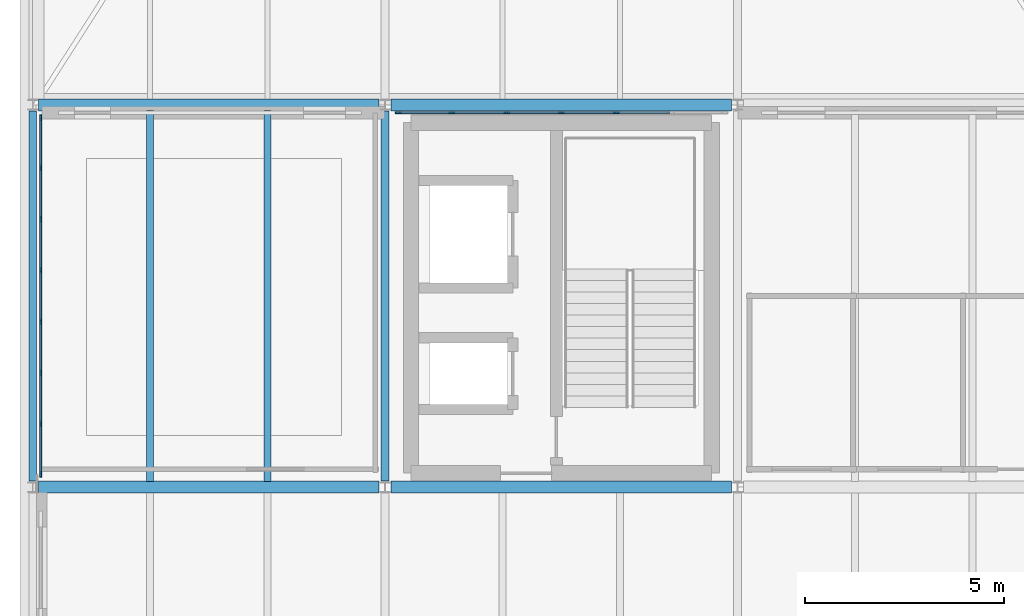
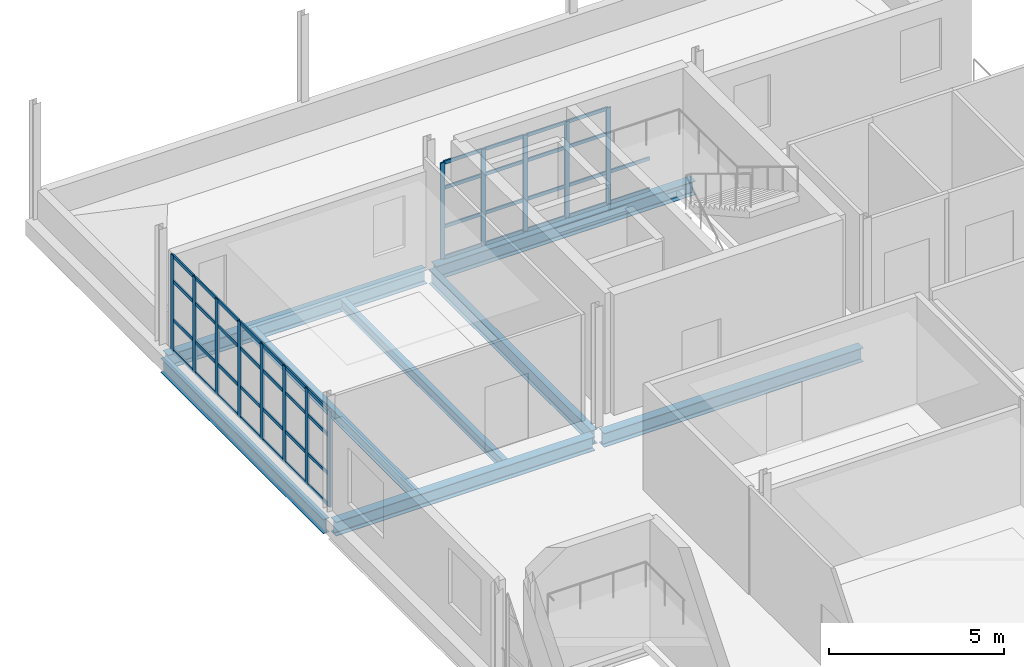
# One storey, part 8 of 28: 59 members, 8 beams, 2 elements without a shape of their own.
"""IFC4 building model written with IfcOpenShell, lengths in metres."""

from ifc_helpers import new_model, si_unit, direction, frame, origin, origin_2d, place, context, subcontext, project, spatial, rectangle, i_section, extrude, material, layer, layer_set, material_profile, profile_set, type_object, element, aggregate, save


model = new_model("IFC4")

# Units and contexts
model_context = context("Model", 3, precision=1e-05, world=origin(), true_north=direction((0.0, 1.0)))
body_context = subcontext(model_context, "Body", "Model", "MODEL_VIEW")
ifc_project = project(units=[si_unit("LENGTHUNIT", "METRE"), si_unit("AREAUNIT", "SQUARE_METRE"), si_unit("VOLUMEUNIT", "CUBIC_METRE"), si_unit("PLANEANGLEUNIT", "RADIAN"), si_unit("MASSUNIT", "GRAM", prefix="KILO")], contexts=[model_context])

# Site, building, storey
site_placement = place(None, origin())
site = spatial("IfcSite", under=ifc_project, at=site_placement, CompositionType="ELEMENT")
building_placement = place(site_placement, origin())
building = spatial("IfcBuilding", under=site, at=building_placement, Name="Yeouljin Market Hall", CompositionType="ELEMENT")
storey_placement = place(building_placement, frame((0.0, 0.0, 15.0)))
storey = spatial("IfcBuildingStorey", under=building, at=storey_placement, Name="L03", CompositionType="ELEMENT", Elevation=15.0)

# Beams
ifc_material_1 = material(Name="Steel SM355", Category="steel")
ifc_material_profile_1 = material_profile(ifc_material_1, i_section(OverallWidth=0.199951171875, OverallDepth=0.5, WebThickness=0.010009765625, FlangeThickness=0.01611328125, FilletRadius=0.02001953125, at=origin_2d()), Name="H-500x200x10x16")
ifc_profile_set_1 = profile_set([ifc_material_profile_1], Name="Steel SM355")
beam_type_1 = type_object("IfcBeamType", Name="Beam_H-500x200x10x16", PredefinedType="BEAM", material=ifc_profile_set_1)
for number, where, z_axis, x_axis, name in (
    (1, (0.0, 19.35009765625, -0.514892578125), (0.0, 1.0, 0.0), (-1.0, 0.0, 0.0), "Primary beam BM-L03-Y048"),
    (2, (8.85009765625, 19.35009765625, -0.514892578125), (0.0, 1.0, 0.0), (-1.0, 0.0, 0.0), "Primary beam BM-L03-Y052"),
):
    element("IfcBeam", number, at=place(storey_placement, frame(where, z_axis=z_axis, x_axis=x_axis)), inside=storey, type_object=beam_type_1, Name=name, PredefinedType="BEAM", context=body_context, shape_type="SweptSolid", body=[
        extrude(i_section(OverallWidth=0.199951171875, OverallDepth=0.5, WebThickness=0.010009765625, FlangeThickness=0.01611328125, FilletRadius=0.02001953125, at=origin_2d()), origin(), (0.0, 0.0, 1.0), 9.2998046875),
    ])

# Curtain wall, members
ifc_material_2 = material(Name="Thermally Broken Aluminium", Category="aluminium")
ifc_layer = layer(ifc_material_2, 0.14990234375)
ifc_layer_set = layer_set([ifc_layer], Name="Thermally Broken Aluminium")
curtain_wall_type = type_object("IfcCurtainWallType", Name="CW_AcademyRibbon_System", PredefinedType="USERDEFINED", material=ifc_layer_set)
curtain_wall_1_placement = place(storey_placement, origin())
curtain_wall_1 = element("IfcCurtainWall", 3, at=curtain_wall_1_placement, inside=storey, type_object=curtain_wall_type, Name="Curtain wall CW-L03-W06", ObjectType="CURTAIN WALL", PredefinedType="USERDEFINED")
ifc_material_3 = material(Name="Thermally Broken Aluminium", Category="aluminium")
ifc_material_profile_2 = material_profile(ifc_material_3, rectangle(XDim=0.048095703125, YDim=0.14990234375, at=origin_2d()), Name="CW-MULL-48x150")
ifc_profile_set_2 = profile_set([ifc_material_profile_2], Name="Thermally Broken Aluminium")
member_type_1 = type_object("IfcMemberType", Name="CWMullion_48x150", PredefinedType="MULLION", material=ifc_profile_set_2)
member_1_placement = place(storey_placement, frame((0.199951171875, 19.52392578125, 0.0), z_axis=(0.0, 0.0, 1.0), x_axis=(-1.0, 0.0, 0.0)))
member_1 = element("IfcMember", 4, at=member_1_placement, type_object=member_type_1, Name="CW-05 mullion 1", PredefinedType="MULLION", context=body_context, shape_type="SweptSolid", body=[
    extrude(rectangle(XDim=0.048095703125, YDim=0.14990234375, at=origin_2d()), origin(), (0.0, 0.0, 1.0), 3.35009765625),
])
member_2_placement = place(storey_placement, frame((0.199951171875, 20.78564453125, 0.0), z_axis=(0.0, 0.0, 1.0), x_axis=(-1.0, 0.0, 0.0)))
member_2 = element("IfcMember", 5, at=member_2_placement, type_object=member_type_1, Name="CW-05 mullion 2", PredefinedType="MULLION", context=body_context, shape_type="SweptSolid", body=[
    extrude(rectangle(XDim=0.048095703125, YDim=0.14990234375, at=origin_2d()), origin(), (0.0, 0.0, 1.0), 3.35009765625),
])
member_3_placement = place(storey_placement, frame((0.199951171875, 22.071533203125, 0.0), z_axis=(0.0, 0.0, 1.0), x_axis=(-1.0, 0.0, 0.0)))
member_3 = element("IfcMember", 6, at=member_3_placement, type_object=member_type_1, Name="CW-05 mullion 3", PredefinedType="MULLION", context=body_context, shape_type="SweptSolid", body=[
    extrude(rectangle(XDim=0.048095703125, YDim=0.14990234375, at=origin_2d()), origin(), (0.0, 0.0, 1.0), 3.35009765625),
])
member_4_placement = place(storey_placement, frame((0.199951171875, 23.357177734375, 0.0), z_axis=(0.0, 0.0, 1.0), x_axis=(-1.0, 0.0, 0.0)))
member_4 = element("IfcMember", 7, at=member_4_placement, type_object=member_type_1, Name="CW-05 mullion 4", PredefinedType="MULLION", context=body_context, shape_type="SweptSolid", body=[
    extrude(rectangle(XDim=0.048095703125, YDim=0.14990234375, at=origin_2d()), origin(), (0.0, 0.0, 1.0), 3.35009765625),
])
member_5_placement = place(storey_placement, frame((0.199951171875, 24.642822265625, 0.0), z_axis=(0.0, 0.0, 1.0), x_axis=(-1.0, 0.0, 0.0)))
member_5 = element("IfcMember", 8, at=member_5_placement, type_object=member_type_1, Name="CW-05 mullion 5", PredefinedType="MULLION", context=body_context, shape_type="SweptSolid", body=[
    extrude(rectangle(XDim=0.048095703125, YDim=0.14990234375, at=origin_2d()), origin(), (0.0, 0.0, 1.0), 3.35009765625),
])
member_6_placement = place(storey_placement, frame((0.199951171875, 25.928466796875, 0.0), z_axis=(0.0, 0.0, 1.0), x_axis=(-1.0, 0.0, 0.0)))
member_6 = element("IfcMember", 9, at=member_6_placement, type_object=member_type_1, Name="CW-05 mullion 6", PredefinedType="MULLION", context=body_context, shape_type="SweptSolid", body=[
    extrude(rectangle(XDim=0.048095703125, YDim=0.14990234375, at=origin_2d()), origin(), (0.0, 0.0, 1.0), 3.35009765625),
])
member_7_placement = place(storey_placement, frame((0.199951171875, 27.21435546875, 0.0), z_axis=(0.0, 0.0, 1.0), x_axis=(-1.0, 0.0, 0.0)))
member_7 = element("IfcMember", 10, at=member_7_placement, type_object=member_type_1, Name="CW-05 mullion 7", PredefinedType="MULLION", context=body_context, shape_type="SweptSolid", body=[
    extrude(rectangle(XDim=0.048095703125, YDim=0.14990234375, at=origin_2d()), origin(), (0.0, 0.0, 1.0), 3.35009765625),
])
member_8_placement = place(storey_placement, frame((0.199951171875, 28.47607421875, 0.0), z_axis=(0.0, 0.0, 1.0), x_axis=(-1.0, 0.0, 0.0)))
member_8 = element("IfcMember", 11, at=member_8_placement, type_object=member_type_1, Name="CW-05 mullion 8", PredefinedType="MULLION", context=body_context, shape_type="SweptSolid", body=[
    extrude(rectangle(XDim=0.048095703125, YDim=0.14990234375, at=origin_2d()), origin(), (0.0, 0.0, 1.0), 3.35009765625),
])

curtain_wall_2_placement = place(storey_placement, origin())
curtain_wall_2 = element("IfcCurtainWall", 12, at=curtain_wall_2_placement, inside=storey, type_object=curtain_wall_type, Name="Curtain wall CW-L03-W08", ObjectType="CURTAIN WALL", PredefinedType="USERDEFINED")
member_9_placement = place(storey_placement, frame((9.174072265625, 28.60009765625, 0.0), z_axis=(0.0, 0.0, 1.0), x_axis=(0.0, 1.0, 0.0)))
member_9 = element("IfcMember", 13, at=member_9_placement, type_object=member_type_1, Name="CW-05 mullion 1", PredefinedType="MULLION", context=body_context, shape_type="SweptSolid", body=[
    extrude(rectangle(XDim=0.048095703125, YDim=0.14990234375, at=origin_2d()), origin(), (0.0, 0.0, 1.0), 3.35009765625),
])
member_10_placement = place(storey_placement, frame((10.52490234375, 28.60009765625, 0.0), z_axis=(0.0, 0.0, 1.0), x_axis=(0.0, 1.0, 0.0)))
member_10 = element("IfcMember", 14, at=member_10_placement, type_object=member_type_1, Name="CW-05 mullion 2", PredefinedType="MULLION", context=body_context, shape_type="SweptSolid", body=[
    extrude(rectangle(XDim=0.048095703125, YDim=0.14990234375, at=origin_2d()), origin(), (0.0, 0.0, 1.0), 3.35009765625),
])
member_11_placement = place(storey_placement, frame((11.89990234375, 28.60009765625, 0.0), z_axis=(0.0, 0.0, 1.0), x_axis=(0.0, 1.0, 0.0)))
member_11 = element("IfcMember", 15, at=member_11_placement, type_object=member_type_1, Name="CW-05 mullion 3", PredefinedType="MULLION", context=body_context, shape_type="SweptSolid", body=[
    extrude(rectangle(XDim=0.048095703125, YDim=0.14990234375, at=origin_2d()), origin(), (0.0, 0.0, 1.0), 3.35009765625),
])
member_12_placement = place(storey_placement, frame((13.27490234375, 28.60009765625, 0.0), z_axis=(0.0, 0.0, 1.0), x_axis=(0.0, 1.0, 0.0)))
member_12 = element("IfcMember", 16, at=member_12_placement, type_object=member_type_1, Name="CW-05 mullion 4", PredefinedType="MULLION", context=body_context, shape_type="SweptSolid", body=[
    extrude(rectangle(XDim=0.048095703125, YDim=0.14990234375, at=origin_2d()), origin(), (0.0, 0.0, 1.0), 3.35009765625),
])
member_13_placement = place(storey_placement, frame((14.64990234375, 28.60009765625, 0.0), z_axis=(0.0, 0.0, 1.0), x_axis=(0.0, 1.0, 0.0)))
member_13 = element("IfcMember", 17, at=member_13_placement, type_object=member_type_1, Name="CW-05 mullion 5", PredefinedType="MULLION", context=body_context, shape_type="SweptSolid", body=[
    extrude(rectangle(XDim=0.048095703125, YDim=0.14990234375, at=origin_2d()), origin(), (0.0, 0.0, 1.0), 3.35009765625),
])

# Member
ifc_material_4 = material(Name="Thermally Broken Aluminium", Category="aluminium")
ifc_material_profile_3 = material_profile(ifc_material_4, rectangle(XDim=0.048095703125, YDim=0.1201171875, at=origin_2d()), Name="CW-TRAN-48x120")
ifc_profile_set_3 = profile_set([ifc_material_profile_3], Name="Thermally Broken Aluminium")
member_type_2 = type_object("IfcMemberType", Name="CWTransom_48x120", PredefinedType="USERDEFINED", material=ifc_profile_set_3)
member_14_placement = place(storey_placement, frame((0.199951171875, 19.548095703125, 0.02392578125), z_axis=(0.0, 1.0, 0.0), x_axis=(-1.0, 0.0, 0.0)))
member_14 = element("IfcMember", 18, at=member_14_placement, type_object=member_type_2, Name="CW-05 transom 1.1", ObjectType="TRANSOM", PredefinedType="USERDEFINED", context=body_context, shape_type="SweptSolid", body=[
    extrude(rectangle(XDim=0.048095703125, YDim=0.1201171875, at=origin_2d()), origin(), (0.0, 0.0, 1.0), 1.213623046875),
])

member_15_placement = place(storey_placement, frame((0.199951171875, 19.548095703125, 1.10009765625), z_axis=(0.0, 1.0, 0.0), x_axis=(-1.0, 0.0, 0.0)))
member_15 = element("IfcMember", 19, at=member_15_placement, type_object=member_type_2, Name="CW-05 transom 1.2", ObjectType="TRANSOM", PredefinedType="USERDEFINED", context=body_context, shape_type="SweptSolid", body=[
    extrude(rectangle(XDim=0.048095703125, YDim=0.1201171875, at=origin_2d()), origin(), (0.0, 0.0, 1.0), 1.213623046875),
])

member_16_placement = place(storey_placement, frame((0.199951171875, 19.548095703125, 2.449951171875), z_axis=(0.0, 1.0, 0.0), x_axis=(-1.0, 0.0, 0.0)))
member_16 = element("IfcMember", 20, at=member_16_placement, type_object=member_type_2, Name="CW-05 transom 1.3", ObjectType="TRANSOM", PredefinedType="USERDEFINED", context=body_context, shape_type="SweptSolid", body=[
    extrude(rectangle(XDim=0.048095703125, YDim=0.1201171875, at=origin_2d()), origin(), (0.0, 0.0, 1.0), 1.213623046875),
])

member_17_placement = place(storey_placement, frame((0.199951171875, 19.548095703125, 3.325927734375), z_axis=(0.0, 1.0, 0.0), x_axis=(-1.0, 0.0, 0.0)))
member_17 = element("IfcMember", 21, at=member_17_placement, type_object=member_type_2, Name="CW-05 transom 1.4", ObjectType="TRANSOM", PredefinedType="USERDEFINED", context=body_context, shape_type="SweptSolid", body=[
    extrude(rectangle(XDim=0.048095703125, YDim=0.1201171875, at=origin_2d()), origin(), (0.0, 0.0, 1.0), 1.213623046875),
])

member_18_placement = place(storey_placement, frame((0.199951171875, 20.809814453125, 0.02392578125), z_axis=(0.0, 1.0, 0.0), x_axis=(-1.0, 0.0, 0.0)))
member_18 = element("IfcMember", 22, at=member_18_placement, type_object=member_type_2, Name="CW-05 transom 2.1", ObjectType="TRANSOM", PredefinedType="USERDEFINED", context=body_context, shape_type="SweptSolid", body=[
    extrude(rectangle(XDim=0.048095703125, YDim=0.1201171875, at=origin_2d()), origin(), (0.0, 0.0, 1.0), 1.237548828125),
])

member_19_placement = place(storey_placement, frame((0.199951171875, 20.809814453125, 1.10009765625), z_axis=(0.0, 1.0, 0.0), x_axis=(-1.0, 0.0, 0.0)))
member_19 = element("IfcMember", 23, at=member_19_placement, type_object=member_type_2, Name="CW-05 transom 2.2", ObjectType="TRANSOM", PredefinedType="USERDEFINED", context=body_context, shape_type="SweptSolid", body=[
    extrude(rectangle(XDim=0.048095703125, YDim=0.1201171875, at=origin_2d()), origin(), (0.0, 0.0, 1.0), 1.237548828125),
])

member_20_placement = place(storey_placement, frame((0.199951171875, 20.809814453125, 2.449951171875), z_axis=(0.0, 1.0, 0.0), x_axis=(-1.0, 0.0, 0.0)))
member_20 = element("IfcMember", 24, at=member_20_placement, type_object=member_type_2, Name="CW-05 transom 2.3", ObjectType="TRANSOM", PredefinedType="USERDEFINED", context=body_context, shape_type="SweptSolid", body=[
    extrude(rectangle(XDim=0.048095703125, YDim=0.1201171875, at=origin_2d()), origin(), (0.0, 0.0, 1.0), 1.237548828125),
])

member_21_placement = place(storey_placement, frame((0.199951171875, 20.809814453125, 3.325927734375), z_axis=(0.0, 1.0, 0.0), x_axis=(-1.0, 0.0, 0.0)))
member_21 = element("IfcMember", 25, at=member_21_placement, type_object=member_type_2, Name="CW-05 transom 2.4", ObjectType="TRANSOM", PredefinedType="USERDEFINED", context=body_context, shape_type="SweptSolid", body=[
    extrude(rectangle(XDim=0.048095703125, YDim=0.1201171875, at=origin_2d()), origin(), (0.0, 0.0, 1.0), 1.237548828125),
])

member_22_placement = place(storey_placement, frame((0.199951171875, 22.095458984375, 0.02392578125), z_axis=(0.0, 1.0, 0.0), x_axis=(-1.0, 0.0, 0.0)))
member_22 = element("IfcMember", 26, at=member_22_placement, type_object=member_type_2, Name="CW-05 transom 3.1", ObjectType="TRANSOM", PredefinedType="USERDEFINED", context=body_context, shape_type="SweptSolid", body=[
    extrude(rectangle(XDim=0.048095703125, YDim=0.1201171875, at=origin_2d()), origin(), (0.0, 0.0, 1.0), 1.23779296875),
])

member_23_placement = place(storey_placement, frame((0.199951171875, 22.095458984375, 1.10009765625), z_axis=(0.0, 1.0, 0.0), x_axis=(-1.0, 0.0, 0.0)))
member_23 = element("IfcMember", 27, at=member_23_placement, type_object=member_type_2, Name="CW-05 transom 3.2", ObjectType="TRANSOM", PredefinedType="USERDEFINED", context=body_context, shape_type="SweptSolid", body=[
    extrude(rectangle(XDim=0.048095703125, YDim=0.1201171875, at=origin_2d()), origin(), (0.0, 0.0, 1.0), 1.23779296875),
])

member_24_placement = place(storey_placement, frame((0.199951171875, 22.095458984375, 2.449951171875), z_axis=(0.0, 1.0, 0.0), x_axis=(-1.0, 0.0, 0.0)))
member_24 = element("IfcMember", 28, at=member_24_placement, type_object=member_type_2, Name="CW-05 transom 3.3", ObjectType="TRANSOM", PredefinedType="USERDEFINED", context=body_context, shape_type="SweptSolid", body=[
    extrude(rectangle(XDim=0.048095703125, YDim=0.1201171875, at=origin_2d()), origin(), (0.0, 0.0, 1.0), 1.23779296875),
])

member_25_placement = place(storey_placement, frame((0.199951171875, 22.095458984375, 3.325927734375), z_axis=(0.0, 1.0, 0.0), x_axis=(-1.0, 0.0, 0.0)))
member_25 = element("IfcMember", 29, at=member_25_placement, type_object=member_type_2, Name="CW-05 transom 3.4", ObjectType="TRANSOM", PredefinedType="USERDEFINED", context=body_context, shape_type="SweptSolid", body=[
    extrude(rectangle(XDim=0.048095703125, YDim=0.1201171875, at=origin_2d()), origin(), (0.0, 0.0, 1.0), 1.23779296875),
])

member_26_placement = place(storey_placement, frame((0.199951171875, 23.381103515625, 0.02392578125), z_axis=(0.0, 1.0, 0.0), x_axis=(-1.0, 0.0, 0.0)))
member_26 = element("IfcMember", 30, at=member_26_placement, type_object=member_type_2, Name="CW-05 transom 4.1", ObjectType="TRANSOM", PredefinedType="USERDEFINED", context=body_context, shape_type="SweptSolid", body=[
    extrude(rectangle(XDim=0.048095703125, YDim=0.1201171875, at=origin_2d()), origin(), (0.0, 0.0, 1.0), 1.23779296875),
])

member_27_placement = place(storey_placement, frame((0.199951171875, 23.381103515625, 1.10009765625), z_axis=(0.0, 1.0, 0.0), x_axis=(-1.0, 0.0, 0.0)))
member_27 = element("IfcMember", 31, at=member_27_placement, type_object=member_type_2, Name="CW-05 transom 4.2", ObjectType="TRANSOM", PredefinedType="USERDEFINED", context=body_context, shape_type="SweptSolid", body=[
    extrude(rectangle(XDim=0.048095703125, YDim=0.1201171875, at=origin_2d()), origin(), (0.0, 0.0, 1.0), 1.23779296875),
])

member_28_placement = place(storey_placement, frame((0.199951171875, 23.381103515625, 2.449951171875), z_axis=(0.0, 1.0, 0.0), x_axis=(-1.0, 0.0, 0.0)))
member_28 = element("IfcMember", 32, at=member_28_placement, type_object=member_type_2, Name="CW-05 transom 4.3", ObjectType="TRANSOM", PredefinedType="USERDEFINED", context=body_context, shape_type="SweptSolid", body=[
    extrude(rectangle(XDim=0.048095703125, YDim=0.1201171875, at=origin_2d()), origin(), (0.0, 0.0, 1.0), 1.23779296875),
])

member_29_placement = place(storey_placement, frame((0.199951171875, 23.381103515625, 3.325927734375), z_axis=(0.0, 1.0, 0.0), x_axis=(-1.0, 0.0, 0.0)))
member_29 = element("IfcMember", 33, at=member_29_placement, type_object=member_type_2, Name="CW-05 transom 4.4", ObjectType="TRANSOM", PredefinedType="USERDEFINED", context=body_context, shape_type="SweptSolid", body=[
    extrude(rectangle(XDim=0.048095703125, YDim=0.1201171875, at=origin_2d()), origin(), (0.0, 0.0, 1.0), 1.23779296875),
])

member_30_placement = place(storey_placement, frame((0.199951171875, 24.666748046875, 0.02392578125), z_axis=(0.0, 1.0, 0.0), x_axis=(-1.0, 0.0, 0.0)))
member_30 = element("IfcMember", 34, at=member_30_placement, type_object=member_type_2, Name="CW-05 transom 5.1", ObjectType="TRANSOM", PredefinedType="USERDEFINED", context=body_context, shape_type="SweptSolid", body=[
    extrude(rectangle(XDim=0.048095703125, YDim=0.1201171875, at=origin_2d()), origin(), (0.0, 0.0, 1.0), 1.23779296875),
])

member_31_placement = place(storey_placement, frame((0.199951171875, 24.666748046875, 1.10009765625), z_axis=(0.0, 1.0, 0.0), x_axis=(-1.0, 0.0, 0.0)))
member_31 = element("IfcMember", 35, at=member_31_placement, type_object=member_type_2, Name="CW-05 transom 5.2", ObjectType="TRANSOM", PredefinedType="USERDEFINED", context=body_context, shape_type="SweptSolid", body=[
    extrude(rectangle(XDim=0.048095703125, YDim=0.1201171875, at=origin_2d()), origin(), (0.0, 0.0, 1.0), 1.23779296875),
])

member_32_placement = place(storey_placement, frame((0.199951171875, 24.666748046875, 2.449951171875), z_axis=(0.0, 1.0, 0.0), x_axis=(-1.0, 0.0, 0.0)))
member_32 = element("IfcMember", 36, at=member_32_placement, type_object=member_type_2, Name="CW-05 transom 5.3", ObjectType="TRANSOM", PredefinedType="USERDEFINED", context=body_context, shape_type="SweptSolid", body=[
    extrude(rectangle(XDim=0.048095703125, YDim=0.1201171875, at=origin_2d()), origin(), (0.0, 0.0, 1.0), 1.23779296875),
])

member_33_placement = place(storey_placement, frame((0.199951171875, 24.666748046875, 3.325927734375), z_axis=(0.0, 1.0, 0.0), x_axis=(-1.0, 0.0, 0.0)))
member_33 = element("IfcMember", 37, at=member_33_placement, type_object=member_type_2, Name="CW-05 transom 5.4", ObjectType="TRANSOM", PredefinedType="USERDEFINED", context=body_context, shape_type="SweptSolid", body=[
    extrude(rectangle(XDim=0.048095703125, YDim=0.1201171875, at=origin_2d()), origin(), (0.0, 0.0, 1.0), 1.23779296875),
])

member_34_placement = place(storey_placement, frame((0.199951171875, 25.95263671875, 0.02392578125), z_axis=(0.0, 1.0, 0.0), x_axis=(-1.0, 0.0, 0.0)))
member_34 = element("IfcMember", 38, at=member_34_placement, type_object=member_type_2, Name="CW-05 transom 6.1", ObjectType="TRANSOM", PredefinedType="USERDEFINED", context=body_context, shape_type="SweptSolid", body=[
    extrude(rectangle(XDim=0.048095703125, YDim=0.1201171875, at=origin_2d()), origin(), (0.0, 0.0, 1.0), 1.237548828125),
])

member_35_placement = place(storey_placement, frame((0.199951171875, 25.95263671875, 1.10009765625), z_axis=(0.0, 1.0, 0.0), x_axis=(-1.0, 0.0, 0.0)))
member_35 = element("IfcMember", 39, at=member_35_placement, type_object=member_type_2, Name="CW-05 transom 6.2", ObjectType="TRANSOM", PredefinedType="USERDEFINED", context=body_context, shape_type="SweptSolid", body=[
    extrude(rectangle(XDim=0.048095703125, YDim=0.1201171875, at=origin_2d()), origin(), (0.0, 0.0, 1.0), 1.237548828125),
])

member_36_placement = place(storey_placement, frame((0.199951171875, 25.95263671875, 2.449951171875), z_axis=(0.0, 1.0, 0.0), x_axis=(-1.0, 0.0, 0.0)))
member_36 = element("IfcMember", 40, at=member_36_placement, type_object=member_type_2, Name="CW-05 transom 6.3", ObjectType="TRANSOM", PredefinedType="USERDEFINED", context=body_context, shape_type="SweptSolid", body=[
    extrude(rectangle(XDim=0.048095703125, YDim=0.1201171875, at=origin_2d()), origin(), (0.0, 0.0, 1.0), 1.237548828125),
])

member_37_placement = place(storey_placement, frame((0.199951171875, 25.95263671875, 3.325927734375), z_axis=(0.0, 1.0, 0.0), x_axis=(-1.0, 0.0, 0.0)))
member_37 = element("IfcMember", 41, at=member_37_placement, type_object=member_type_2, Name="CW-05 transom 6.4", ObjectType="TRANSOM", PredefinedType="USERDEFINED", context=body_context, shape_type="SweptSolid", body=[
    extrude(rectangle(XDim=0.048095703125, YDim=0.1201171875, at=origin_2d()), origin(), (0.0, 0.0, 1.0), 1.237548828125),
])

member_38_placement = place(storey_placement, frame((0.199951171875, 27.23828125, 0.02392578125), z_axis=(0.0, 1.0, 0.0), x_axis=(-1.0, 0.0, 0.0)))
member_38 = element("IfcMember", 42, at=member_38_placement, type_object=member_type_2, Name="CW-05 transom 7.1", ObjectType="TRANSOM", PredefinedType="USERDEFINED", context=body_context, shape_type="SweptSolid", body=[
    extrude(rectangle(XDim=0.048095703125, YDim=0.1201171875, at=origin_2d()), origin(), (0.0, 0.0, 1.0), 1.213623046875),
])

member_39_placement = place(storey_placement, frame((0.199951171875, 27.23828125, 1.10009765625), z_axis=(0.0, 1.0, 0.0), x_axis=(-1.0, 0.0, 0.0)))
member_39 = element("IfcMember", 43, at=member_39_placement, type_object=member_type_2, Name="CW-05 transom 7.2", ObjectType="TRANSOM", PredefinedType="USERDEFINED", context=body_context, shape_type="SweptSolid", body=[
    extrude(rectangle(XDim=0.048095703125, YDim=0.1201171875, at=origin_2d()), origin(), (0.0, 0.0, 1.0), 1.213623046875),
])

member_40_placement = place(storey_placement, frame((0.199951171875, 27.23828125, 2.449951171875), z_axis=(0.0, 1.0, 0.0), x_axis=(-1.0, 0.0, 0.0)))
member_40 = element("IfcMember", 44, at=member_40_placement, type_object=member_type_2, Name="CW-05 transom 7.3", ObjectType="TRANSOM", PredefinedType="USERDEFINED", context=body_context, shape_type="SweptSolid", body=[
    extrude(rectangle(XDim=0.048095703125, YDim=0.1201171875, at=origin_2d()), origin(), (0.0, 0.0, 1.0), 1.213623046875),
])

member_41_placement = place(storey_placement, frame((0.199951171875, 27.23828125, 3.325927734375), z_axis=(0.0, 1.0, 0.0), x_axis=(-1.0, 0.0, 0.0)))
member_41 = element("IfcMember", 45, at=member_41_placement, type_object=member_type_2, Name="CW-05 transom 7.4", ObjectType="TRANSOM", PredefinedType="USERDEFINED", context=body_context, shape_type="SweptSolid", body=[
    extrude(rectangle(XDim=0.048095703125, YDim=0.1201171875, at=origin_2d()), origin(), (0.0, 0.0, 1.0), 1.213623046875),
])

aggregate(curtain_wall_1, [member_1, member_2, member_3, member_4, member_5, member_6, member_7, member_8, member_14, member_15, member_16, member_17, member_18, member_19, member_20, member_21, member_22, member_23, member_24, member_25, member_26, member_27, member_28, member_29, member_30, member_31, member_32, member_33, member_34, member_35, member_36, member_37, member_38, member_39, member_40, member_41])

member_42_placement = place(storey_placement, frame((9.197998046875, 28.60009765625, 0.02392578125), z_axis=(1.0, 0.0, 0.0), x_axis=(0.0, 1.0, 0.0)))
member_42 = element("IfcMember", 46, at=member_42_placement, type_object=member_type_2, Name="CW-05 transom 1.1", ObjectType="TRANSOM", PredefinedType="USERDEFINED", context=body_context, shape_type="SweptSolid", body=[
    extrude(rectangle(XDim=0.048095703125, YDim=0.1201171875, at=origin_2d()), origin(), (0.0, 0.0, 1.0), 1.302978515625),
])

member_43_placement = place(storey_placement, frame((9.197998046875, 28.60009765625, 1.10009765625), z_axis=(1.0, 0.0, 0.0), x_axis=(0.0, 1.0, 0.0)))
member_43 = element("IfcMember", 47, at=member_43_placement, type_object=member_type_2, Name="CW-05 transom 1.2", ObjectType="TRANSOM", PredefinedType="USERDEFINED", context=body_context, shape_type="SweptSolid", body=[
    extrude(rectangle(XDim=0.048095703125, YDim=0.1201171875, at=origin_2d()), origin(), (0.0, 0.0, 1.0), 1.302978515625),
])

member_44_placement = place(storey_placement, frame((9.197998046875, 28.60009765625, 2.449951171875), z_axis=(1.0, 0.0, 0.0), x_axis=(0.0, 1.0, 0.0)))
member_44 = element("IfcMember", 48, at=member_44_placement, type_object=member_type_2, Name="CW-05 transom 1.3", ObjectType="TRANSOM", PredefinedType="USERDEFINED", context=body_context, shape_type="SweptSolid", body=[
    extrude(rectangle(XDim=0.048095703125, YDim=0.1201171875, at=origin_2d()), origin(), (0.0, 0.0, 1.0), 1.302978515625),
])

member_45_placement = place(storey_placement, frame((9.197998046875, 28.60009765625, 3.325927734375), z_axis=(1.0, 0.0, 0.0), x_axis=(0.0, 1.0, 0.0)))
member_45 = element("IfcMember", 49, at=member_45_placement, type_object=member_type_2, Name="CW-05 transom 1.4", ObjectType="TRANSOM", PredefinedType="USERDEFINED", context=body_context, shape_type="SweptSolid", body=[
    extrude(rectangle(XDim=0.048095703125, YDim=0.1201171875, at=origin_2d()), origin(), (0.0, 0.0, 1.0), 1.302978515625),
])

member_46_placement = place(storey_placement, frame((10.549072265625, 28.60009765625, 0.02392578125), z_axis=(1.0, 0.0, 0.0), x_axis=(0.0, 1.0, 0.0)))
member_46 = element("IfcMember", 50, at=member_46_placement, type_object=member_type_2, Name="CW-05 transom 2.1", ObjectType="TRANSOM", PredefinedType="USERDEFINED", context=body_context, shape_type="SweptSolid", body=[
    extrude(rectangle(XDim=0.048095703125, YDim=0.1201171875, at=origin_2d()), origin(), (0.0, 0.0, 1.0), 1.326904296875),
])

member_47_placement = place(storey_placement, frame((10.549072265625, 28.60009765625, 1.10009765625), z_axis=(1.0, 0.0, 0.0), x_axis=(0.0, 1.0, 0.0)))
member_47 = element("IfcMember", 51, at=member_47_placement, type_object=member_type_2, Name="CW-05 transom 2.2", ObjectType="TRANSOM", PredefinedType="USERDEFINED", context=body_context, shape_type="SweptSolid", body=[
    extrude(rectangle(XDim=0.048095703125, YDim=0.1201171875, at=origin_2d()), origin(), (0.0, 0.0, 1.0), 1.326904296875),
])

member_48_placement = place(storey_placement, frame((10.549072265625, 28.60009765625, 2.449951171875), z_axis=(1.0, 0.0, 0.0), x_axis=(0.0, 1.0, 0.0)))
member_48 = element("IfcMember", 52, at=member_48_placement, type_object=member_type_2, Name="CW-05 transom 2.3", ObjectType="TRANSOM", PredefinedType="USERDEFINED", context=body_context, shape_type="SweptSolid", body=[
    extrude(rectangle(XDim=0.048095703125, YDim=0.1201171875, at=origin_2d()), origin(), (0.0, 0.0, 1.0), 1.326904296875),
])

member_49_placement = place(storey_placement, frame((10.549072265625, 28.60009765625, 3.325927734375), z_axis=(1.0, 0.0, 0.0), x_axis=(0.0, 1.0, 0.0)))
member_49 = element("IfcMember", 53, at=member_49_placement, type_object=member_type_2, Name="CW-05 transom 2.4", ObjectType="TRANSOM", PredefinedType="USERDEFINED", context=body_context, shape_type="SweptSolid", body=[
    extrude(rectangle(XDim=0.048095703125, YDim=0.1201171875, at=origin_2d()), origin(), (0.0, 0.0, 1.0), 1.326904296875),
])

member_50_placement = place(storey_placement, frame((11.924072265625, 28.60009765625, 0.02392578125), z_axis=(1.0, 0.0, 0.0), x_axis=(0.0, 1.0, 0.0)))
member_50 = element("IfcMember", 54, at=member_50_placement, type_object=member_type_2, Name="CW-05 transom 3.1", ObjectType="TRANSOM", PredefinedType="USERDEFINED", context=body_context, shape_type="SweptSolid", body=[
    extrude(rectangle(XDim=0.048095703125, YDim=0.1201171875, at=origin_2d()), origin(), (0.0, 0.0, 1.0), 1.326904296875),
])

member_51_placement = place(storey_placement, frame((11.924072265625, 28.60009765625, 1.10009765625), z_axis=(1.0, 0.0, 0.0), x_axis=(0.0, 1.0, 0.0)))
member_51 = element("IfcMember", 55, at=member_51_placement, type_object=member_type_2, Name="CW-05 transom 3.2", ObjectType="TRANSOM", PredefinedType="USERDEFINED", context=body_context, shape_type="SweptSolid", body=[
    extrude(rectangle(XDim=0.048095703125, YDim=0.1201171875, at=origin_2d()), origin(), (0.0, 0.0, 1.0), 1.326904296875),
])

member_52_placement = place(storey_placement, frame((11.924072265625, 28.60009765625, 2.449951171875), z_axis=(1.0, 0.0, 0.0), x_axis=(0.0, 1.0, 0.0)))
member_52 = element("IfcMember", 56, at=member_52_placement, type_object=member_type_2, Name="CW-05 transom 3.3", ObjectType="TRANSOM", PredefinedType="USERDEFINED", context=body_context, shape_type="SweptSolid", body=[
    extrude(rectangle(XDim=0.048095703125, YDim=0.1201171875, at=origin_2d()), origin(), (0.0, 0.0, 1.0), 1.326904296875),
])

member_53_placement = place(storey_placement, frame((11.924072265625, 28.60009765625, 3.325927734375), z_axis=(1.0, 0.0, 0.0), x_axis=(0.0, 1.0, 0.0)))
member_53 = element("IfcMember", 57, at=member_53_placement, type_object=member_type_2, Name="CW-05 transom 3.4", ObjectType="TRANSOM", PredefinedType="USERDEFINED", context=body_context, shape_type="SweptSolid", body=[
    extrude(rectangle(XDim=0.048095703125, YDim=0.1201171875, at=origin_2d()), origin(), (0.0, 0.0, 1.0), 1.326904296875),
])

member_54_placement = place(storey_placement, frame((13.299072265625, 28.60009765625, 0.02392578125), z_axis=(1.0, 0.0, 0.0), x_axis=(0.0, 1.0, 0.0)))
member_54 = element("IfcMember", 58, at=member_54_placement, type_object=member_type_2, Name="CW-05 transom 4.1", ObjectType="TRANSOM", PredefinedType="USERDEFINED", context=body_context, shape_type="SweptSolid", body=[
    extrude(rectangle(XDim=0.048095703125, YDim=0.1201171875, at=origin_2d()), origin(), (0.0, 0.0, 1.0), 1.326904296875),
])

member_55_placement = place(storey_placement, frame((13.299072265625, 28.60009765625, 1.10009765625), z_axis=(1.0, 0.0, 0.0), x_axis=(0.0, 1.0, 0.0)))
member_55 = element("IfcMember", 59, at=member_55_placement, type_object=member_type_2, Name="CW-05 transom 4.2", ObjectType="TRANSOM", PredefinedType="USERDEFINED", context=body_context, shape_type="SweptSolid", body=[
    extrude(rectangle(XDim=0.048095703125, YDim=0.1201171875, at=origin_2d()), origin(), (0.0, 0.0, 1.0), 1.326904296875),
])

member_56_placement = place(storey_placement, frame((13.299072265625, 28.60009765625, 2.449951171875), z_axis=(1.0, 0.0, 0.0), x_axis=(0.0, 1.0, 0.0)))
member_56 = element("IfcMember", 60, at=member_56_placement, type_object=member_type_2, Name="CW-05 transom 4.3", ObjectType="TRANSOM", PredefinedType="USERDEFINED", context=body_context, shape_type="SweptSolid", body=[
    extrude(rectangle(XDim=0.048095703125, YDim=0.1201171875, at=origin_2d()), origin(), (0.0, 0.0, 1.0), 1.326904296875),
])

member_57_placement = place(storey_placement, frame((13.299072265625, 28.60009765625, 3.325927734375), z_axis=(1.0, 0.0, 0.0), x_axis=(0.0, 1.0, 0.0)))
member_57 = element("IfcMember", 61, at=member_57_placement, type_object=member_type_2, Name="CW-05 transom 4.4", ObjectType="TRANSOM", PredefinedType="USERDEFINED", context=body_context, shape_type="SweptSolid", body=[
    extrude(rectangle(XDim=0.048095703125, YDim=0.1201171875, at=origin_2d()), origin(), (0.0, 0.0, 1.0), 1.326904296875),
])

member_58_placement = place(storey_placement, frame((14.674072265625, 28.60009765625, 0.02392578125), z_axis=(1.0, 0.0, 0.0), x_axis=(0.0, 1.0, 0.0)))
member_58 = element("IfcMember", 62, at=member_58_placement, type_object=member_type_2, Name="CW-05 transom 5.1", ObjectType="TRANSOM", PredefinedType="USERDEFINED", context=body_context, shape_type="SweptSolid", body=[
    extrude(rectangle(XDim=0.048095703125, YDim=0.1201171875, at=origin_2d()), origin(), (0.0, 0.0, 1.0), 1.326904296875),
])

member_59_placement = place(storey_placement, frame((14.674072265625, 28.60009765625, 1.10009765625), z_axis=(1.0, 0.0, 0.0), x_axis=(0.0, 1.0, 0.0)))
member_59 = element("IfcMember", 63, at=member_59_placement, type_object=member_type_2, Name="CW-05 transom 5.2", ObjectType="TRANSOM", PredefinedType="USERDEFINED", context=body_context, shape_type="SweptSolid", body=[
    extrude(rectangle(XDim=0.048095703125, YDim=0.1201171875, at=origin_2d()), origin(), (0.0, 0.0, 1.0), 1.326904296875),
])

aggregate(curtain_wall_2, [member_9, member_10, member_11, member_12, member_13, member_42, member_43, member_44, member_45, member_46, member_47, member_48, member_49, member_50, member_51, member_52, member_53, member_54, member_55, member_56, member_57, member_58, member_59])

# Beams
ifc_material_5 = material(Name="Steel SM355", Category="steel")
ifc_material_profile_4 = material_profile(ifc_material_5, i_section(OverallWidth=0.300048828125, OverallDepth=0.488037109375, WebThickness=0.010986328125, FlangeThickness=0.01806640625, FilletRadius=0.02197265625, at=origin_2d()), Name="H-488x300x11x18")
ifc_profile_set_4 = profile_set([ifc_material_profile_4], Name="Steel SM355")
beam_type_2 = type_object("IfcBeamType", Name="Girder_H-488x300x11x18", PredefinedType="USERDEFINED", material=ifc_profile_set_4)
for number, where, z_axis, x_axis, name in (
    (64, (0.14990234375, 19.199951171875, -0.509033203125), (1.0, 0.0, 0.0), (0.0, 1.0, 0.0), "Primary girder GRD-L03-X013"),
    (65, (9.0, 19.199951171875, -0.509033203125), (1.0, 0.0, 0.0), (0.0, 1.0, 0.0), "Primary girder GRD-L03-X014"),
    (66, (0.14990234375, 28.800048828125, -0.509033203125), (1.0, 0.0, 0.0), (0.0, 1.0, 0.0), "Primary girder GRD-L03-X019"),
    (67, (9.0, 28.800048828125, -0.509033203125), (1.0, 0.0, 0.0), (0.0, 1.0, 0.0), "Primary girder GRD-L03-X020"),
):
    element("IfcBeam", number, at=place(storey_placement, frame(where, z_axis=z_axis, x_axis=x_axis)), inside=storey, type_object=beam_type_2, Name=name, ObjectType="GIRDER", PredefinedType="USERDEFINED", context=body_context, shape_type="SweptSolid", body=[
        extrude(i_section(OverallWidth=0.300048828125, OverallDepth=0.488037109375, WebThickness=0.010986328125, FlangeThickness=0.01806640625, FilletRadius=0.02197265625, at=origin_2d()), origin(), (0.0, 0.0, 1.0), 8.550048828125),
    ])
ifc_material_6 = material(Name="Steel SM355", Category="steel")
ifc_material_profile_5 = material_profile(ifc_material_6, i_section(OverallWidth=0.175048828125, OverallDepth=0.35009765625, WebThickness=0.007080078125, FlangeThickness=0.010986328125, FilletRadius=0.013916015625, at=origin_2d()), Name="H-350x175x7x11")
ifc_profile_set_5 = profile_set([ifc_material_profile_5], Name="Steel SM355")
beam_type_3 = type_object("IfcBeamType", Name="Joist_H-350x175x7x11", PredefinedType="JOIST", material=ifc_profile_set_5)
for number, where, z_axis, x_axis, name in (
    (68, (2.949951171875, 19.346923828125, -0.43994140625), (0.0, 1.0, 0.0), (-1.0, 0.0, 0.0), "Secondary floor joist L03-004"),
    (69, (5.89990234375, 19.346923828125, -0.43994140625), (0.0, 1.0, 0.0), (-1.0, 0.0, 0.0), "Secondary floor joist L03-005"),
):
    element("IfcBeam", number, at=place(storey_placement, frame(where, z_axis=z_axis, x_axis=x_axis)), inside=storey, type_object=beam_type_3, Name=name, PredefinedType="JOIST", context=body_context, shape_type="SweptSolid", body=[
        extrude(i_section(OverallWidth=0.175048828125, OverallDepth=0.35009765625, WebThickness=0.007080078125, FlangeThickness=0.010986328125, FilletRadius=0.013916015625, at=origin_2d()), origin(), (0.0, 0.0, 1.0), 9.30615234375),
    ])

save(model, "model.ifc")
